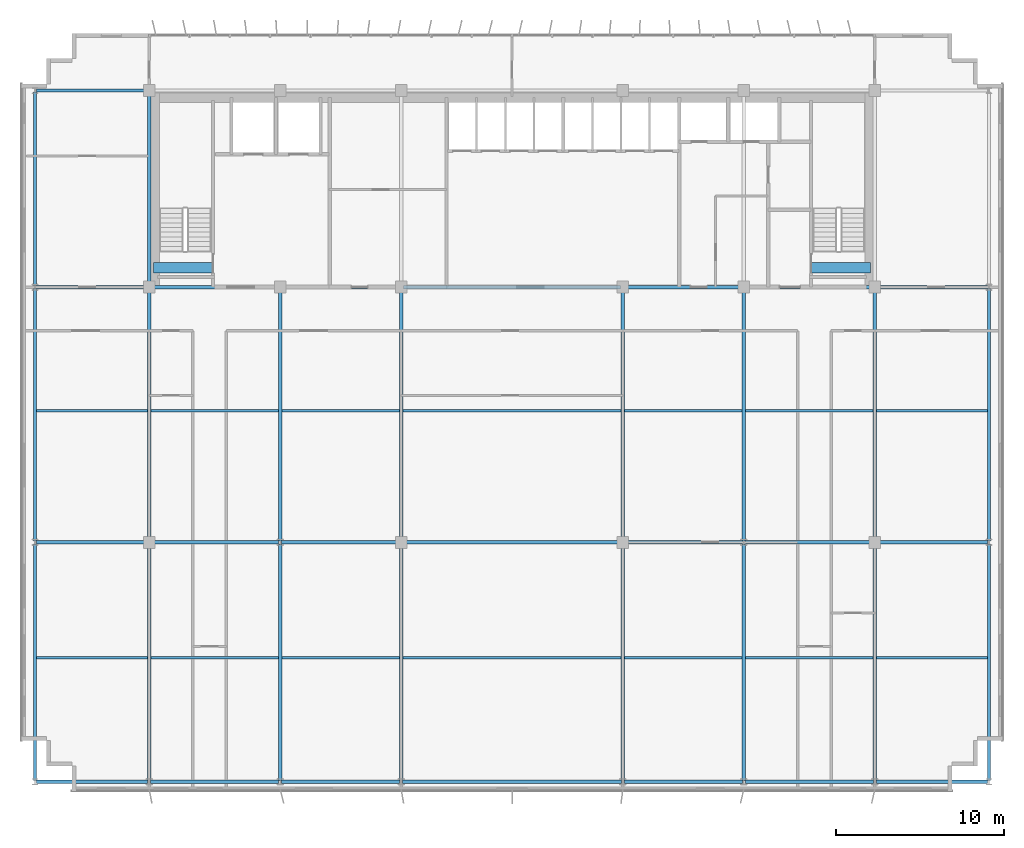
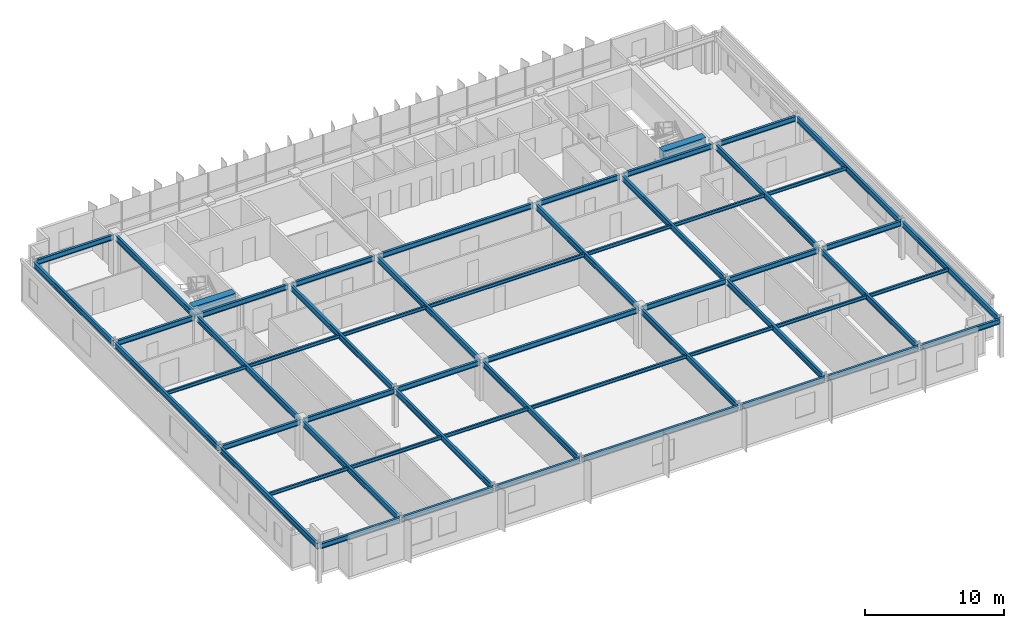
# One storey, part 5 of 19: 56 beams.
"""IFC4 building model written with IfcOpenShell, lengths in metres."""

from ifc_helpers import new_model, si_unit, direction, frame, origin, origin_2d, place, context, subcontext, project, spatial, rectangle, i_section, extrude, source, transform, mapped, material, material_profile, profile_set, type_object, element, save


model = new_model("IFC4")

# Units and contexts
model_context = context("Model", 3, precision=1e-05, world=origin(), true_north=direction((0.0, 1.0)))
body_context = subcontext(model_context, "Body", "Model", "MODEL_VIEW")
ifc_project = project(units=[si_unit("LENGTHUNIT", "METRE"), si_unit("AREAUNIT", "SQUARE_METRE"), si_unit("VOLUMEUNIT", "CUBIC_METRE"), si_unit("PLANEANGLEUNIT", "RADIAN"), si_unit("MASSUNIT", "GRAM", prefix="KILO")], contexts=[model_context])

# Site, building, storey
site_placement = place(None, origin())
site = spatial("IfcSite", under=ifc_project, at=site_placement, CompositionType="ELEMENT")
building_placement = place(site_placement, origin())
building = spatial("IfcBuilding", under=site, at=building_placement, Name="Trelvane Seafront Commons", CompositionType="ELEMENT")
storey_placement = place(building_placement, frame((0.0, 0.0, 215.699951171875)))
storey = spatial("IfcBuildingStorey", under=building, at=storey_placement, Name="L56", CompositionType="ELEMENT", Elevation=215.699951171875)

# Beams
ifc_material_1 = material(Name="Concrete C60/75", Category="concrete")
ifc_material_profile_1 = material_profile(ifc_material_1, rectangle(XDim=0.60009765625, YDim=0.89990234375, at=origin_2d()), Name="RC-600x900")
ifc_profile_set_1 = profile_set([ifc_material_profile_1], Name="Concrete C60/75")
beam_type_1 = type_object("IfcBeamType", Name="STR-LNT-RC600x900", PredefinedType="LINTEL", material=ifc_profile_set_1)
shared_shape_1 = source(origin(), body_context, "Body", "SweptSolid", [
    extrude(rectangle(XDim=0.60009765625, YDim=0.89990234375, at=origin_2d()), origin(), (0.0, 0.0, 1.0), 3.5498046875),
])
beam_1_placement = place(storey_placement, frame((15.85009765625, 34.550048828125, 2.91015625), z_axis=(1.0, 0.0, 0.0), x_axis=(0.0, 1.0, 0.0)))
element("IfcBeam", 1, at=beam_1_placement, inside=storey, type_object=beam_type_1, Name="L56 Core Coupling Lintel Beam CB-67", PredefinedType="LINTEL", context=body_context, shape_type="MappedRepresentation", body=[
    mapped(shared_shape_1, transform((0.0, 0.0, 0.0), x_axis=(1.0, 0.0, 0.0), y_axis=(0.0, 1.0, 0.0), z_axis=(0.0, 0.0, 1.0), scale=1.0)),
])
shared_shape_2 = source(origin(), body_context, "Body", "SweptSolid", [
    extrude(rectangle(XDim=0.60009765625, YDim=0.89990234375, at=origin_2d()), origin(), (0.0, 0.0, 1.0), 3.550048828125),
])
beam_2_placement = place(storey_placement, frame((55.0, 34.550048828125, 2.91015625), z_axis=(1.0, 0.0, 0.0), x_axis=(0.0, 1.0, 0.0)))
element("IfcBeam", 2, at=beam_2_placement, inside=storey, type_object=beam_type_1, Name="L56 Core Coupling Lintel Beam CB-68", PredefinedType="LINTEL", context=body_context, shape_type="MappedRepresentation", body=[
    mapped(shared_shape_2, transform((0.0, 0.0, 0.0), x_axis=(1.0, 0.0, 0.0), y_axis=(0.0, 1.0, 0.0), z_axis=(0.0, 0.0, 1.0), scale=1.0)),
])
ifc_material_2 = material(Name="Steel SM355 (S355)", Category="steel")
ifc_material_profile_2 = material_profile(ifc_material_2, i_section(OverallWidth=0.199951171875, OverallDepth=0.5, WebThickness=0.010009765625, FlangeThickness=0.01611328125, at=origin_2d()), Name="H-500x200x10x16")
ifc_profile_set_2 = profile_set([ifc_material_profile_2], Name="Steel SM355 (S355)")
beam_type_2 = type_object("IfcBeamType", Name="STR-BM-H500", PredefinedType="BEAM", material=ifc_profile_set_2)
shared_shape_3 = source(origin(), body_context, "Body", "SweptSolid", [
    extrude(i_section(OverallWidth=0.199951171875, OverallDepth=0.5, WebThickness=0.010009765625, FlangeThickness=0.01611328125, at=origin_2d()), origin(), (0.0, 0.0, 1.0), 14.89990234375),
])
for number, where, z_axis, x_axis, name in (
    (3, (15.60009765625, 18.35009765625, 3.110107421875), (0.0, 1.0, 0.0), (-1.0, 0.0, 0.0), "L56 Primary Girder G-33"),
    (4, (30.60009765625, 18.35009765625, 3.110107421875), (0.0, 1.0, 0.0), (-1.0, 0.0, 0.0), "L56 Primary Girder G-39"),
    (5, (43.800048828125, 18.35009765625, 3.110107421875), (0.0, 1.0, 0.0), (-1.0, 0.0, 0.0), "L56 Primary Girder G-42"),
    (6, (58.800048828125, 18.35009765625, 3.110107421875), (0.0, 1.0, 0.0), (-1.0, 0.0, 0.0), "L56 Primary Girder G-48"),
):
    element("IfcBeam", number, at=place(storey_placement, frame(where, z_axis=z_axis, x_axis=x_axis)), inside=storey, type_object=beam_type_2, Name=name, PredefinedType="BEAM", context=body_context, shape_type="MappedRepresentation", body=[
        mapped(shared_shape_3, transform((0.0, 0.0, 0.0), x_axis=(1.0, 0.0, 0.0), y_axis=(0.0, 1.0, 0.0), z_axis=(0.0, 0.0, 1.0), scale=1.0)),
    ])
shared_shape_4 = source(origin(), body_context, "Body", "SweptSolid", [
    extrude(i_section(OverallWidth=0.199951171875, OverallDepth=0.5, WebThickness=0.010009765625, FlangeThickness=0.01611328125, at=origin_2d()), origin(), (0.0, 0.0, 1.0), 11.39990234375),
])
beam_3_placement = place(storey_placement, frame((15.60009765625, 33.550048828125, 3.110107421875), z_axis=(0.0, 1.0, 0.0), x_axis=(-1.0, 0.0, 0.0)))
element("IfcBeam", 7, at=beam_3_placement, inside=storey, type_object=beam_type_2, Name="L56 Primary Girder G-34", PredefinedType="BEAM", context=body_context, shape_type="MappedRepresentation", body=[
    mapped(shared_shape_4, transform((0.0, 0.0, 0.0), x_axis=(1.0, 0.0, 0.0), y_axis=(0.0, 1.0, 0.0), z_axis=(0.0, 0.0, 1.0), scale=1.0)),
])
ifc_material_profile_3 = material_profile(ifc_material_2, i_section(OverallWidth=0.199951171875, OverallDepth=0.449951171875, WebThickness=0.009033203125, FlangeThickness=0.013916015625, at=origin_2d()), Name="H-450x200x9x14")
ifc_profile_set_3 = profile_set([ifc_material_profile_3], Name="Steel SM355 (S355)")
beam_type_3 = type_object("IfcBeamType", Name="STR-SPD-H450", PredefinedType="SPANDREL", material=ifc_profile_set_3)
shared_shape_5 = source(origin(), body_context, "Body", "SweptSolid", [
    extrude(i_section(OverallWidth=0.199951171875, OverallDepth=0.449951171875, WebThickness=0.009033203125, FlangeThickness=0.013916015625, at=origin_2d()), origin(), (0.0, 0.0, 1.0), 6.625),
])
for number, where, z_axis, x_axis, name in (
    (8, (8.887451171875, 3.949951171875, 3.135009765625), (1.0, 0.0, 0.0), (0.0, 1.0, 0.0), "L56 Primary Girder G-01"),
    (9, (58.887451171875, 3.949951171875, 3.135009765625), (1.0, 0.0, 0.0), (0.0, 1.0, 0.0), "L56 Primary Girder G-07"),
):
    element("IfcBeam", number, at=place(storey_placement, frame(where, z_axis=z_axis, x_axis=x_axis)), inside=storey, type_object=beam_type_3, Name=name, PredefinedType="SPANDREL", context=body_context, shape_type="MappedRepresentation", body=[
        mapped(shared_shape_5, transform((0.0, 0.0, 0.0), x_axis=(1.0, 0.0, 0.0), y_axis=(0.0, 1.0, 0.0), z_axis=(0.0, 0.0, 1.0), scale=1.0)),
    ])
shared_shape_6 = source(origin(), body_context, "Body", "SweptSolid", [
    extrude(i_section(OverallWidth=0.199951171875, OverallDepth=0.449951171875, WebThickness=0.009033203125, FlangeThickness=0.013916015625, at=origin_2d()), origin(), (0.0, 0.0, 1.0), 7.625),
])
for number, where, z_axis, x_axis, name in (
    (10, (15.6875, 3.949951171875, 3.135009765625), (1.0, 0.0, 0.0), (0.0, 1.0, 0.0), "L56 Primary Girder G-02"),
    (11, (51.08740234375, 3.949951171875, 3.135009765625), (1.0, 0.0, 0.0), (0.0, 1.0, 0.0), "L56 Primary Girder G-06"),
):
    element("IfcBeam", number, at=place(storey_placement, frame(where, z_axis=z_axis, x_axis=x_axis)), inside=storey, type_object=beam_type_3, Name=name, PredefinedType="SPANDREL", context=body_context, shape_type="MappedRepresentation", body=[
        mapped(shared_shape_6, transform((0.0, 0.0, 0.0), x_axis=(1.0, 0.0, 0.0), y_axis=(0.0, 1.0, 0.0), z_axis=(0.0, 0.0, 1.0), scale=1.0)),
    ])
shared_shape_7 = source(origin(), body_context, "Body", "SweptSolid", [
    extrude(i_section(OverallWidth=0.199951171875, OverallDepth=0.449951171875, WebThickness=0.009033203125, FlangeThickness=0.013916015625, at=origin_2d()), origin(), (0.0, 0.0, 1.0), 7.02490234375),
])
beam_4_placement = place(storey_placement, frame((23.487548828125, 3.949951171875, 3.135009765625), z_axis=(1.0, 0.0, 0.0), x_axis=(0.0, 1.0, 0.0)))
element("IfcBeam", 12, at=beam_4_placement, inside=storey, type_object=beam_type_3, Name="L56 Primary Girder G-03", PredefinedType="SPANDREL", context=body_context, shape_type="MappedRepresentation", body=[
    mapped(shared_shape_7, transform((0.0, 0.0, 0.0), x_axis=(1.0, 0.0, 0.0), y_axis=(0.0, 1.0, 0.0), z_axis=(0.0, 0.0, 1.0), scale=1.0)),
])
shared_shape_8 = source(origin(), body_context, "Body", "SweptSolid", [
    extrude(i_section(OverallWidth=0.199951171875, OverallDepth=0.449951171875, WebThickness=0.009033203125, FlangeThickness=0.013916015625, at=origin_2d()), origin(), (0.0, 0.0, 1.0), 7.025146484375),
])
beam_5_placement = place(storey_placement, frame((43.887451171875, 3.949951171875, 3.135009765625), z_axis=(1.0, 0.0, 0.0), x_axis=(0.0, 1.0, 0.0)))
element("IfcBeam", 13, at=beam_5_placement, inside=storey, type_object=beam_type_3, Name="L56 Primary Girder G-05", PredefinedType="SPANDREL", context=body_context, shape_type="MappedRepresentation", body=[
    mapped(shared_shape_8, transform((0.0, 0.0, 0.0), x_axis=(1.0, 0.0, 0.0), y_axis=(0.0, 1.0, 0.0), z_axis=(0.0, 0.0, 1.0), scale=1.0)),
])
shared_shape_9 = source(origin(), body_context, "Body", "SweptSolid", [
    extrude(i_section(OverallWidth=0.199951171875, OverallDepth=0.449951171875, WebThickness=0.009033203125, FlangeThickness=0.013916015625, at=origin_2d()), origin(), (0.0, 0.0, 1.0), 6.5625),
])
for number, where, z_axis, x_axis, name in (
    (14, (8.887451171875, 18.199951171875, 3.135009765625), (1.0, 0.0, 0.0), (0.0, 1.0, 0.0), "L56 Primary Girder G-08"),
    (15, (58.949951171875, 18.199951171875, 3.135009765625), (1.0, 0.0, 0.0), (0.0, 1.0, 0.0), "L56 Primary Girder G-14"),
    (16, (8.887451171875, 33.39990234375, 3.135009765625), (1.0, 0.0, 0.0), (0.0, 1.0, 0.0), "L56 Primary Girder G-15"),
    (17, (58.949951171875, 33.39990234375, 3.135009765625), (1.0, 0.0, 0.0), (0.0, 1.0, 0.0), "L56 Primary Girder G-21"),
    (18, (8.887451171875, 45.10009765625, 3.135009765625), (1.0, 0.0, 0.0), (0.0, 1.0, 0.0), "L56 Primary Girder G-22"),
):
    element("IfcBeam", number, at=place(storey_placement, frame(where, z_axis=z_axis, x_axis=x_axis)), inside=storey, type_object=beam_type_3, Name=name, PredefinedType="SPANDREL", context=body_context, shape_type="MappedRepresentation", body=[
        mapped(shared_shape_9, transform((0.0, 0.0, 0.0), x_axis=(1.0, 0.0, 0.0), y_axis=(0.0, 1.0, 0.0), z_axis=(0.0, 0.0, 1.0), scale=1.0)),
    ])
shared_shape_10 = source(origin(), body_context, "Body", "SweptSolid", [
    extrude(i_section(OverallWidth=0.199951171875, OverallDepth=0.449951171875, WebThickness=0.009033203125, FlangeThickness=0.013916015625, at=origin_2d()), origin(), (0.0, 0.0, 1.0), 7.5625),
])
for number, where, z_axis, x_axis, name in (
    (19, (15.75, 18.199951171875, 3.135009765625), (1.0, 0.0, 0.0), (0.0, 1.0, 0.0), "L56 Primary Girder G-09"),
    (20, (51.08740234375, 18.199951171875, 3.135009765625), (1.0, 0.0, 0.0), (0.0, 1.0, 0.0), "L56 Primary Girder G-13"),
):
    element("IfcBeam", number, at=place(storey_placement, frame(where, z_axis=z_axis, x_axis=x_axis)), inside=storey, type_object=beam_type_3, Name=name, PredefinedType="SPANDREL", context=body_context, shape_type="MappedRepresentation", body=[
        mapped(shared_shape_10, transform((0.0, 0.0, 0.0), x_axis=(1.0, 0.0, 0.0), y_axis=(0.0, 1.0, 0.0), z_axis=(0.0, 0.0, 1.0), scale=1.0)),
    ])
shared_shape_11 = source(origin(), body_context, "Body", "SweptSolid", [
    extrude(i_section(OverallWidth=0.199951171875, OverallDepth=0.449951171875, WebThickness=0.009033203125, FlangeThickness=0.013916015625, at=origin_2d()), origin(), (0.0, 0.0, 1.0), 6.96240234375),
])
beam_6_placement = place(storey_placement, frame((23.487548828125, 18.199951171875, 3.135009765625), z_axis=(1.0, 0.0, 0.0), x_axis=(0.0, 1.0, 0.0)))
element("IfcBeam", 21, at=beam_6_placement, inside=storey, type_object=beam_type_3, Name="L56 Primary Girder G-10", PredefinedType="SPANDREL", context=body_context, shape_type="MappedRepresentation", body=[
    mapped(shared_shape_11, transform((0.0, 0.0, 0.0), x_axis=(1.0, 0.0, 0.0), y_axis=(0.0, 1.0, 0.0), z_axis=(0.0, 0.0, 1.0), scale=1.0)),
])
shared_shape_12 = source(origin(), body_context, "Body", "SweptSolid", [
    extrude(i_section(OverallWidth=0.199951171875, OverallDepth=0.449951171875, WebThickness=0.009033203125, FlangeThickness=0.013916015625, at=origin_2d()), origin(), (0.0, 0.0, 1.0), 6.962646484375),
])
beam_7_placement = place(storey_placement, frame((43.949951171875, 18.199951171875, 3.135009765625), z_axis=(1.0, 0.0, 0.0), x_axis=(0.0, 1.0, 0.0)))
element("IfcBeam", 22, at=beam_7_placement, inside=storey, type_object=beam_type_3, Name="L56 Primary Girder G-12", PredefinedType="SPANDREL", context=body_context, shape_type="MappedRepresentation", body=[
    mapped(shared_shape_12, transform((0.0, 0.0, 0.0), x_axis=(1.0, 0.0, 0.0), y_axis=(0.0, 1.0, 0.0), z_axis=(0.0, 0.0, 1.0), scale=1.0)),
])
shared_shape_13 = source(origin(), body_context, "Body", "SweptSolid", [
    extrude(i_section(OverallWidth=0.199951171875, OverallDepth=0.449951171875, WebThickness=0.009033203125, FlangeThickness=0.013916015625, at=origin_2d()), origin(), (0.0, 0.0, 1.0), 7.5),
])
for number, where, z_axis, x_axis, name in (
    (23, (15.75, 33.39990234375, 3.135009765625), (1.0, 0.0, 0.0), (0.0, 1.0, 0.0), "L56 Primary Girder G-16"),
    (24, (51.14990234375, 33.39990234375, 3.135009765625), (1.0, 0.0, 0.0), (0.0, 1.0, 0.0), "L56 Primary Girder G-20"),
):
    element("IfcBeam", number, at=place(storey_placement, frame(where, z_axis=z_axis, x_axis=x_axis)), inside=storey, type_object=beam_type_3, Name=name, PredefinedType="SPANDREL", context=body_context, shape_type="MappedRepresentation", body=[
        mapped(shared_shape_13, transform((0.0, 0.0, 0.0), x_axis=(1.0, 0.0, 0.0), y_axis=(0.0, 1.0, 0.0), z_axis=(0.0, 0.0, 1.0), scale=1.0)),
    ])
shared_shape_14 = source(origin(), body_context, "Body", "SweptSolid", [
    extrude(i_section(OverallWidth=0.199951171875, OverallDepth=0.449951171875, WebThickness=0.009033203125, FlangeThickness=0.013916015625, at=origin_2d()), origin(), (0.0, 0.0, 1.0), 6.89990234375),
])
beam_8_placement = place(storey_placement, frame((23.550048828125, 33.39990234375, 3.135009765625), z_axis=(1.0, 0.0, 0.0), x_axis=(0.0, 1.0, 0.0)))
element("IfcBeam", 25, at=beam_8_placement, inside=storey, type_object=beam_type_3, Name="L56 Primary Girder G-17", PredefinedType="SPANDREL", context=body_context, shape_type="MappedRepresentation", body=[
    mapped(shared_shape_14, transform((0.0, 0.0, 0.0), x_axis=(1.0, 0.0, 0.0), y_axis=(0.0, 1.0, 0.0), z_axis=(0.0, 0.0, 1.0), scale=1.0)),
])
shared_shape_15 = source(origin(), body_context, "Body", "SweptSolid", [
    extrude(i_section(OverallWidth=0.199951171875, OverallDepth=0.449951171875, WebThickness=0.009033203125, FlangeThickness=0.013916015625, at=origin_2d()), origin(), (0.0, 0.0, 1.0), 12.89990234375),
])
for number, where, z_axis, x_axis, name in (
    (26, (30.75, 18.199951171875, 3.135009765625), (1.0, 0.0, 0.0), (0.0, 1.0, 0.0), "L56 Primary Girder G-11"),
    (27, (30.75, 33.39990234375, 3.135009765625), (1.0, 0.0, 0.0), (0.0, 1.0, 0.0), "L56 Primary Girder G-18"),
):
    element("IfcBeam", number, at=place(storey_placement, frame(where, z_axis=z_axis, x_axis=x_axis)), inside=storey, type_object=beam_type_3, Name=name, PredefinedType="SPANDREL", context=body_context, shape_type="MappedRepresentation", body=[
        mapped(shared_shape_15, transform((0.0, 0.0, 0.0), x_axis=(1.0, 0.0, 0.0), y_axis=(0.0, 1.0, 0.0), z_axis=(0.0, 0.0, 1.0), scale=1.0)),
    ])
shared_shape_16 = source(origin(), body_context, "Body", "SweptSolid", [
    extrude(i_section(OverallWidth=0.199951171875, OverallDepth=0.449951171875, WebThickness=0.009033203125, FlangeThickness=0.013916015625, at=origin_2d()), origin(), (0.0, 0.0, 1.0), 6.900146484375),
])
beam_9_placement = place(storey_placement, frame((43.949951171875, 33.39990234375, 3.135009765625), z_axis=(1.0, 0.0, 0.0), x_axis=(0.0, 1.0, 0.0)))
element("IfcBeam", 28, at=beam_9_placement, inside=storey, type_object=beam_type_3, Name="L56 Primary Girder G-19", PredefinedType="SPANDREL", context=body_context, shape_type="MappedRepresentation", body=[
    mapped(shared_shape_16, transform((0.0, 0.0, 0.0), x_axis=(1.0, 0.0, 0.0), y_axis=(0.0, 1.0, 0.0), z_axis=(0.0, 0.0, 1.0), scale=1.0)),
])
shared_shape_17 = source(origin(), body_context, "Body", "SweptSolid", [
    extrude(i_section(OverallWidth=0.199951171875, OverallDepth=0.5, WebThickness=0.010009765625, FlangeThickness=0.01611328125, at=origin_2d()), origin(), (0.0, 0.0, 1.0), 14.074951171875),
])
for number, where, z_axis, x_axis, name in (
    (29, (8.800048828125, 4.03759765625, 3.110107421875), (0.0, 1.0, 0.0), (-1.0, 0.0, 0.0), "L56 Primary Girder G-29"),
    (30, (23.39990234375, 4.03759765625, 3.110107421875), (0.0, 1.0, 0.0), (-1.0, 0.0, 0.0), "L56 Primary Girder G-35"),
    (31, (51.0, 4.03759765625, 3.110107421875), (0.0, 1.0, 0.0), (-1.0, 0.0, 0.0), "L56 Primary Girder G-44"),
    (32, (65.60009765625, 4.03759765625, 3.110107421875), (0.0, 1.0, 0.0), (-1.0, 0.0, 0.0), "L56 Primary Girder G-50"),
):
    element("IfcBeam", number, at=place(storey_placement, frame(where, z_axis=z_axis, x_axis=x_axis)), inside=storey, type_object=beam_type_2, Name=name, PredefinedType="BEAM", context=body_context, shape_type="MappedRepresentation", body=[
        mapped(shared_shape_17, transform((0.0, 0.0, 0.0), x_axis=(1.0, 0.0, 0.0), y_axis=(0.0, 1.0, 0.0), z_axis=(0.0, 0.0, 1.0), scale=1.0)),
    ])
shared_shape_18 = source(origin(), body_context, "Body", "SweptSolid", [
    extrude(i_section(OverallWidth=0.199951171875, OverallDepth=0.5, WebThickness=0.010009765625, FlangeThickness=0.01611328125, at=origin_2d()), origin(), (0.0, 0.0, 1.0), 15.02490234375),
])
for number, where, z_axis, x_axis, name in (
    (33, (8.800048828125, 18.28759765625, 3.110107421875), (0.0, 1.0, 0.0), (-1.0, 0.0, 0.0), "L56 Primary Girder G-30"),
    (34, (65.60009765625, 18.28759765625, 3.110107421875), (0.0, 1.0, 0.0), (-1.0, 0.0, 0.0), "L56 Primary Girder G-51"),
):
    element("IfcBeam", number, at=place(storey_placement, frame(where, z_axis=z_axis, x_axis=x_axis)), inside=storey, type_object=beam_type_2, Name=name, PredefinedType="BEAM", context=body_context, shape_type="MappedRepresentation", body=[
        mapped(shared_shape_18, transform((0.0, 0.0, 0.0), x_axis=(1.0, 0.0, 0.0), y_axis=(0.0, 1.0, 0.0), z_axis=(0.0, 0.0, 1.0), scale=1.0)),
    ])
shared_shape_19 = source(origin(), body_context, "Body", "SweptSolid", [
    extrude(i_section(OverallWidth=0.199951171875, OverallDepth=0.5, WebThickness=0.010009765625, FlangeThickness=0.01611328125, at=origin_2d()), origin(), (0.0, 0.0, 1.0), 11.52490234375),
])
beam_10_placement = place(storey_placement, frame((8.800048828125, 33.487548828125, 3.110107421875), z_axis=(0.0, 1.0, 0.0), x_axis=(-1.0, 0.0, 0.0)))
element("IfcBeam", 35, at=beam_10_placement, inside=storey, type_object=beam_type_2, Name="L56 Primary Girder G-31", PredefinedType="BEAM", context=body_context, shape_type="MappedRepresentation", body=[
    mapped(shared_shape_19, transform((0.0, 0.0, 0.0), x_axis=(1.0, 0.0, 0.0), y_axis=(0.0, 1.0, 0.0), z_axis=(0.0, 0.0, 1.0), scale=1.0)),
])
shared_shape_20 = source(origin(), body_context, "Body", "SweptSolid", [
    extrude(i_section(OverallWidth=0.199951171875, OverallDepth=0.5, WebThickness=0.010009765625, FlangeThickness=0.01611328125, at=origin_2d()), origin(), (0.0, 0.0, 1.0), 14.012451171875),
])
for number, where, z_axis, x_axis, name in (
    (36, (15.60009765625, 4.03759765625, 3.110107421875), (0.0, 1.0, 0.0), (-1.0, 0.0, 0.0), "L56 Primary Girder G-32"),
    (37, (30.60009765625, 4.03759765625, 3.110107421875), (0.0, 1.0, 0.0), (-1.0, 0.0, 0.0), "L56 Primary Girder G-38"),
    (38, (43.800048828125, 4.03759765625, 3.110107421875), (0.0, 1.0, 0.0), (-1.0, 0.0, 0.0), "L56 Primary Girder G-41"),
    (39, (58.800048828125, 4.03759765625, 3.110107421875), (0.0, 1.0, 0.0), (-1.0, 0.0, 0.0), "L56 Primary Girder G-47"),
):
    element("IfcBeam", number, at=place(storey_placement, frame(where, z_axis=z_axis, x_axis=x_axis)), inside=storey, type_object=beam_type_2, Name=name, PredefinedType="BEAM", context=body_context, shape_type="MappedRepresentation", body=[
        mapped(shared_shape_20, transform((0.0, 0.0, 0.0), x_axis=(1.0, 0.0, 0.0), y_axis=(0.0, 1.0, 0.0), z_axis=(0.0, 0.0, 1.0), scale=1.0)),
    ])
shared_shape_21 = source(origin(), body_context, "Body", "SweptSolid", [
    extrude(i_section(OverallWidth=0.199951171875, OverallDepth=0.5, WebThickness=0.010009765625, FlangeThickness=0.01611328125, at=origin_2d()), origin(), (0.0, 0.0, 1.0), 14.96240234375),
])
for number, where, z_axis, x_axis, name in (
    (40, (23.39990234375, 18.28759765625, 3.110107421875), (0.0, 1.0, 0.0), (-1.0, 0.0, 0.0), "L56 Primary Girder G-36"),
    (41, (51.0, 18.28759765625, 3.110107421875), (0.0, 1.0, 0.0), (-1.0, 0.0, 0.0), "L56 Primary Girder G-45"),
):
    element("IfcBeam", number, at=place(storey_placement, frame(where, z_axis=z_axis, x_axis=x_axis)), inside=storey, type_object=beam_type_2, Name=name, PredefinedType="BEAM", context=body_context, shape_type="MappedRepresentation", body=[
        mapped(shared_shape_21, transform((0.0, 0.0, 0.0), x_axis=(1.0, 0.0, 0.0), y_axis=(0.0, 1.0, 0.0), z_axis=(0.0, 0.0, 1.0), scale=1.0)),
    ])
ifc_material_profile_4 = material_profile(ifc_material_2, i_section(OverallWidth=0.14990234375, OverallDepth=0.300048828125, WebThickness=0.006591796875, FlangeThickness=0.009033203125, at=origin_2d()), Name="H-300x150x6.5x9")
ifc_profile_set_4 = profile_set([ifc_material_profile_4], Name="Steel SM355 (S355)")
beam_type_4 = type_object("IfcBeamType", Name="STR-JST-H300", PredefinedType="JOIST", material=ifc_profile_set_4)
shared_shape_22 = source(origin(), body_context, "Body", "SweptSolid", [
    extrude(i_section(OverallWidth=0.14990234375, OverallDepth=0.300048828125, WebThickness=0.006591796875, FlangeThickness=0.009033203125, at=origin_2d()), origin(), (0.0, 0.0, 1.0), 6.60009765625),
])
for number, where, z_axis, x_axis, name in (
    (42, (8.89990234375, 11.324951171875, 3.2099609375), (1.0, 0.0, 0.0), (0.0, 1.0, 0.0), "L56 Secondary Floor Joist B-53"),
    (43, (58.89990234375, 11.324951171875, 3.2099609375), (1.0, 0.0, 0.0), (0.0, 1.0, 0.0), "L56 Secondary Floor Joist B-59"),
    (44, (8.89990234375, 26.050048828125, 3.2099609375), (1.0, 0.0, 0.0), (0.0, 1.0, 0.0), "L56 Secondary Floor Joist B-60"),
    (45, (58.89990234375, 26.050048828125, 3.2099609375), (1.0, 0.0, 0.0), (0.0, 1.0, 0.0), "L56 Secondary Floor Joist B-66"),
):
    element("IfcBeam", number, at=place(storey_placement, frame(where, z_axis=z_axis, x_axis=x_axis)), inside=storey, type_object=beam_type_4, Name=name, PredefinedType="JOIST", context=body_context, shape_type="MappedRepresentation", body=[
        mapped(shared_shape_22, transform((0.0, 0.0, 0.0), x_axis=(1.0, 0.0, 0.0), y_axis=(0.0, 1.0, 0.0), z_axis=(0.0, 0.0, 1.0), scale=1.0)),
    ])
shared_shape_23 = source(origin(), body_context, "Body", "SweptSolid", [
    extrude(i_section(OverallWidth=0.14990234375, OverallDepth=0.300048828125, WebThickness=0.006591796875, FlangeThickness=0.009033203125, at=origin_2d()), origin(), (0.0, 0.0, 1.0), 7.60009765625),
])
for number, where, z_axis, x_axis, name in (
    (46, (15.699951171875, 11.324951171875, 3.2099609375), (1.0, 0.0, 0.0), (0.0, 1.0, 0.0), "L56 Secondary Floor Joist B-54"),
    (47, (15.699951171875, 26.050048828125, 3.2099609375), (1.0, 0.0, 0.0), (0.0, 1.0, 0.0), "L56 Secondary Floor Joist B-61"),
):
    element("IfcBeam", number, at=place(storey_placement, frame(where, z_axis=z_axis, x_axis=x_axis)), inside=storey, type_object=beam_type_4, Name=name, PredefinedType="JOIST", context=body_context, shape_type="MappedRepresentation", body=[
        mapped(shared_shape_23, transform((0.0, 0.0, 0.0), x_axis=(1.0, 0.0, 0.0), y_axis=(0.0, 1.0, 0.0), z_axis=(0.0, 0.0, 1.0), scale=1.0)),
    ])
shared_shape_24 = source(origin(), body_context, "Body", "SweptSolid", [
    extrude(i_section(OverallWidth=0.14990234375, OverallDepth=0.300048828125, WebThickness=0.006591796875, FlangeThickness=0.009033203125, at=origin_2d()), origin(), (0.0, 0.0, 1.0), 7.0),
])
for number, where, z_axis, x_axis, name in (
    (48, (23.5, 11.324951171875, 3.2099609375), (1.0, 0.0, 0.0), (0.0, 1.0, 0.0), "L56 Secondary Floor Joist B-55"),
    (49, (43.89990234375, 11.324951171875, 3.2099609375), (1.0, 0.0, 0.0), (0.0, 1.0, 0.0), "L56 Secondary Floor Joist B-57"),
    (50, (23.5, 26.050048828125, 3.2099609375), (1.0, 0.0, 0.0), (0.0, 1.0, 0.0), "L56 Secondary Floor Joist B-62"),
    (51, (43.89990234375, 26.050048828125, 3.2099609375), (1.0, 0.0, 0.0), (0.0, 1.0, 0.0), "L56 Secondary Floor Joist B-64"),
):
    element("IfcBeam", number, at=place(storey_placement, frame(where, z_axis=z_axis, x_axis=x_axis)), inside=storey, type_object=beam_type_4, Name=name, PredefinedType="JOIST", context=body_context, shape_type="MappedRepresentation", body=[
        mapped(shared_shape_24, transform((0.0, 0.0, 0.0), x_axis=(1.0, 0.0, 0.0), y_axis=(0.0, 1.0, 0.0), z_axis=(0.0, 0.0, 1.0), scale=1.0)),
    ])
shared_shape_25 = source(origin(), body_context, "Body", "SweptSolid", [
    extrude(i_section(OverallWidth=0.14990234375, OverallDepth=0.300048828125, WebThickness=0.006591796875, FlangeThickness=0.009033203125, at=origin_2d()), origin(), (0.0, 0.0, 1.0), 7.599853515625),
])
for number, where, z_axis, x_axis, name in (
    (52, (51.10009765625, 11.324951171875, 3.2099609375), (1.0, 0.0, 0.0), (0.0, 1.0, 0.0), "L56 Secondary Floor Joist B-58"),
    (53, (51.10009765625, 26.050048828125, 3.2099609375), (1.0, 0.0, 0.0), (0.0, 1.0, 0.0), "L56 Secondary Floor Joist B-65"),
):
    element("IfcBeam", number, at=place(storey_placement, frame(where, z_axis=z_axis, x_axis=x_axis)), inside=storey, type_object=beam_type_4, Name=name, PredefinedType="JOIST", context=body_context, shape_type="MappedRepresentation", body=[
        mapped(shared_shape_25, transform((0.0, 0.0, 0.0), x_axis=(1.0, 0.0, 0.0), y_axis=(0.0, 1.0, 0.0), z_axis=(0.0, 0.0, 1.0), scale=1.0)),
    ])
shared_shape_26 = source(origin(), body_context, "Body", "SweptSolid", [
    extrude(i_section(OverallWidth=0.14990234375, OverallDepth=0.300048828125, WebThickness=0.006591796875, FlangeThickness=0.009033203125, at=origin_2d()), origin(), (0.0, 0.0, 1.0), 13.0),
])
for number, where, z_axis, x_axis, name in (
    (54, (30.699951171875, 11.324951171875, 3.2099609375), (1.0, 0.0, 0.0), (0.0, 1.0, 0.0), "L56 Secondary Floor Joist B-56"),
    (55, (30.699951171875, 26.050048828125, 3.2099609375), (1.0, 0.0, 0.0), (0.0, 1.0, 0.0), "L56 Secondary Floor Joist B-63"),
):
    element("IfcBeam", number, at=place(storey_placement, frame(where, z_axis=z_axis, x_axis=x_axis)), inside=storey, type_object=beam_type_4, Name=name, PredefinedType="JOIST", context=body_context, shape_type="MappedRepresentation", body=[
        mapped(shared_shape_26, transform((0.0, 0.0, 0.0), x_axis=(1.0, 0.0, 0.0), y_axis=(0.0, 1.0, 0.0), z_axis=(0.0, 0.0, 1.0), scale=1.0)),
    ])
shared_shape_27 = source(origin(), body_context, "Body", "SweptSolid", [
    extrude(i_section(OverallWidth=0.199951171875, OverallDepth=0.449951171875, WebThickness=0.009033203125, FlangeThickness=0.013916015625, at=origin_2d()), origin(), (0.0, 0.0, 1.0), 13.02490234375),
])
beam_11_placement = place(storey_placement, frame((30.6875, 3.949951171875, 3.135009765625), z_axis=(1.0, 0.0, 0.0), x_axis=(0.0, 1.0, 0.0)))
element("IfcBeam", 56, at=beam_11_placement, inside=storey, type_object=beam_type_3, Name="L56 Primary Girder G-04", PredefinedType="SPANDREL", context=body_context, shape_type="MappedRepresentation", body=[
    mapped(shared_shape_27, transform((0.0, 0.0, 0.0), x_axis=(1.0, 0.0, 0.0), y_axis=(0.0, 1.0, 0.0), z_axis=(0.0, 0.0, 1.0), scale=1.0)),
])

save(model, "model.ifc")
